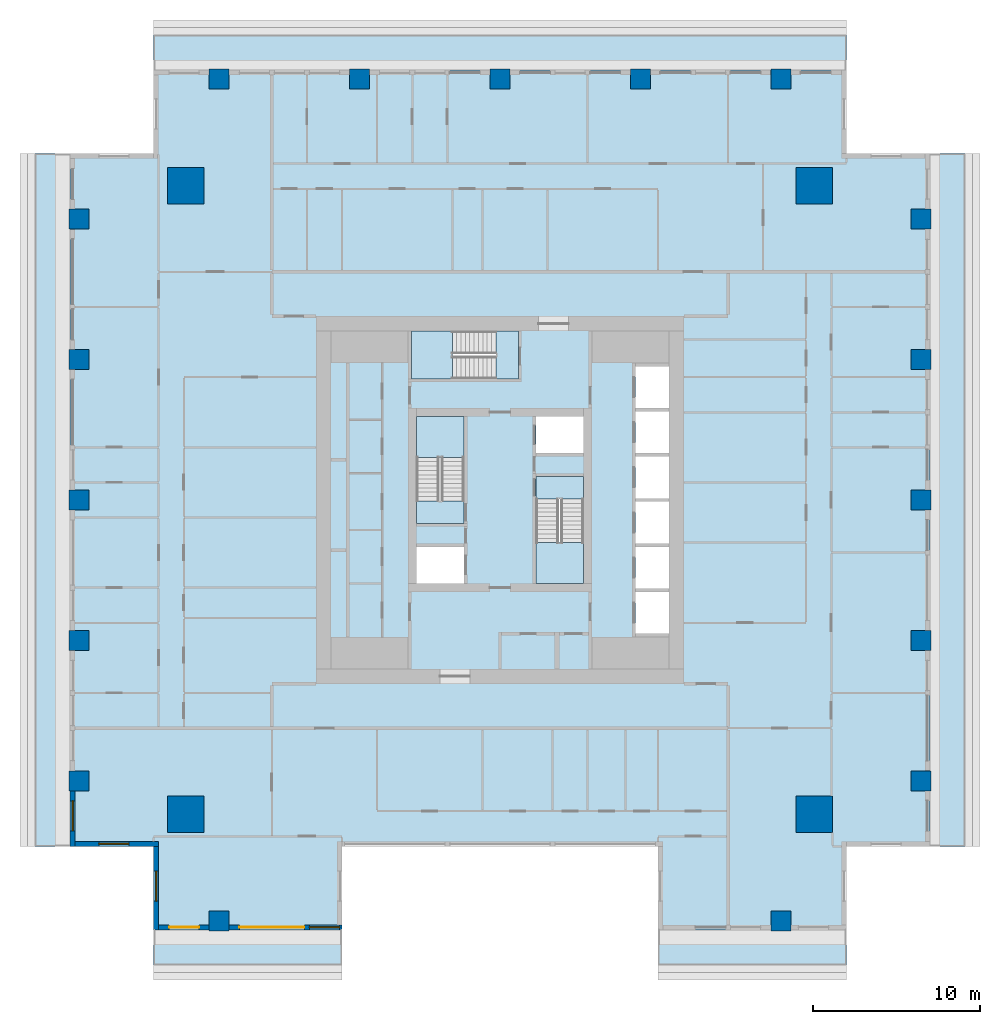
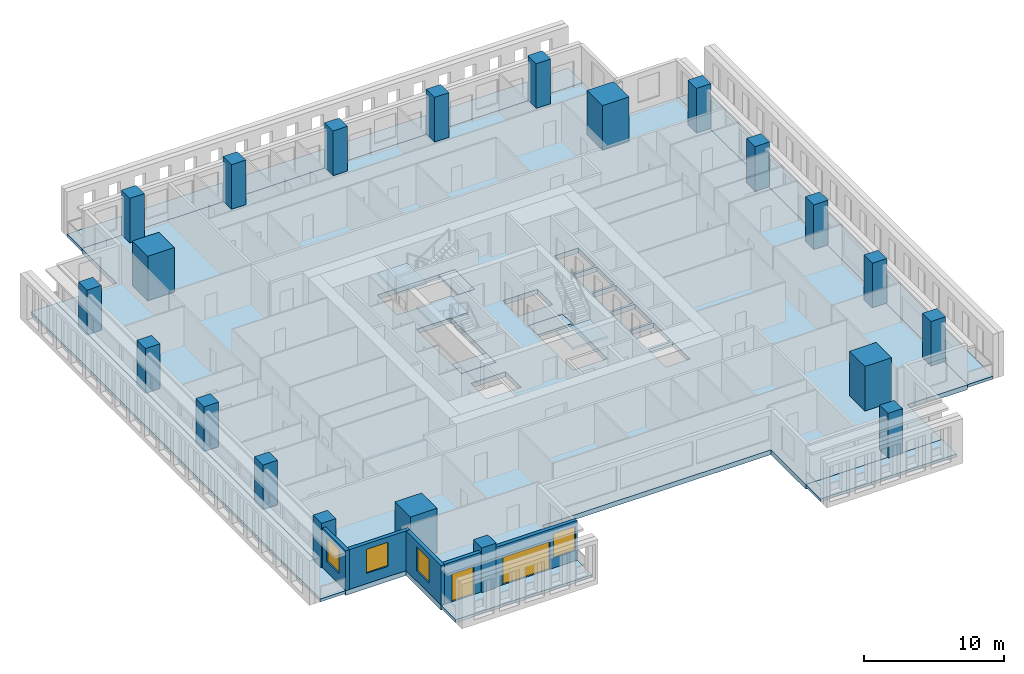
# One storey, part 1 of 14: 21 columns, 12 slabs, 5 walls, 4 windows, 2 doors, 6 openings, 3 elements without a shape of their own.
"""IFC4 building model written with IfcOpenShell, lengths in metres."""

from ifc_helpers import new_model, si_unit, direction, frame, frame_2d, origin, origin_2d, place, context, subcontext, project, spatial, polyline, rectangle, outline, extrude, material, layer, layer_set, material_profile, profile_set, type_object, element, fill, aggregate, save


model = new_model("IFC4")

# Units and contexts
model_context = context("Model", 3, precision=1e-05, world=origin(), true_north=direction((0.0, 1.0)))
body_context = subcontext(model_context, "Body", "Model", "MODEL_VIEW")
ifc_project = project(units=[si_unit("LENGTHUNIT", "METRE"), si_unit("AREAUNIT", "SQUARE_METRE"), si_unit("VOLUMEUNIT", "CUBIC_METRE"), si_unit("PLANEANGLEUNIT", "RADIAN"), si_unit("MASSUNIT", "GRAM", prefix="KILO")], contexts=[model_context])

# Site, building, storey
site_placement = place(None, origin())
site = spatial("IfcSite", under=ifc_project, at=site_placement, CompositionType="ELEMENT")
building_placement = place(site_placement, origin())
building = spatial("IfcBuilding", under=site, at=building_placement, Name="Khepri Terraces", CompositionType="ELEMENT")
storey_placement = place(building_placement, frame((0.0, 0.0, 267.89990234375)))
storey = spatial("IfcBuildingStorey", under=building, at=storey_placement, Name="L64", CompositionType="ELEMENT", Elevation=267.89990234375)

# Columns
ifc_material_1 = material(Name="Concrete C40/50", Category="concrete")
ifc_material_profile_1 = material_profile(ifc_material_1, rectangle(XDim=2.199951171875, YDim=2.199951171875, at=origin_2d()), Name="Concrete C40/50", Category="concrete")
ifc_profile_set_1 = profile_set([ifc_material_profile_1], Name="Concrete C40/50")
column_type_1 = type_object("IfcColumnType", Name="Mega column RC 2200x2200 C40/50", PredefinedType="COLUMN", material=ifc_profile_set_1)
for number, where, z_axis, x_axis, name in (
    (1, (18.800048828125, 18.800048828125, 0.0), (0.0, 0.0, 1.0), (1.0, 0.0, 0.0), "Mega column MEN L64"),
    (2, (18.800048828125, -18.800048828125, 0.0), (0.0, 0.0, 1.0), (1.0, 0.0, 0.0), "Mega column MES L64"),
    (3, (-18.800048828125, 18.800048828125, 0.0), (0.0, 0.0, 1.0), (1.0, 0.0, 0.0), "Mega column MWN L64"),
    (4, (-18.800048828125, -18.800048828125, 0.0), (0.0, 0.0, 1.0), (1.0, 0.0, 0.0), "Mega column MWS L64"),
):
    element("IfcColumn", number, at=place(storey_placement, frame(where, z_axis=z_axis, x_axis=x_axis)), inside=storey, type_object=column_type_1, Name=name, PredefinedType="COLUMN", context=body_context, shape_type="SweptSolid", body=[
        extrude(rectangle(XDim=2.199951171875, YDim=2.199951171875, at=origin_2d()), origin(), (0.0, 0.0, 1.0), 3.900146484375),
    ])
ifc_material_profile_2 = material_profile(ifc_material_1, rectangle(XDim=1.199951171875, YDim=1.199951171875, at=origin_2d()), Name="Concrete C40/50", Category="concrete")
ifc_profile_set_2 = profile_set([ifc_material_profile_2], Name="Concrete C40/50")
column_type_2 = type_object("IfcColumnType", Name="Tower column RC 1200x1200 C40/50", PredefinedType="COLUMN", material=ifc_profile_set_2)
for number, where, z_axis, x_axis, name in (
    (5, (25.199951171875, 0.0, 0.0), (0.0, 0.0, 1.0), (1.0, 0.0, 0.0), "Perimeter column PE+000b L64"),
    (6, (25.199951171875, 8.39990234375, 0.0), (0.0, 0.0, 1.0), (1.0, 0.0, 0.0), "Perimeter column PE+084b L64"),
    (7, (25.199951171875, 16.800048828125, 0.0), (0.0, 0.0, 1.0), (1.0, 0.0, 0.0), "Perimeter column PE+168a L64"),
    (8, (25.199951171875, -8.39990234375, 0.0), (0.0, 0.0, 1.0), (1.0, 0.0, 0.0), "Perimeter column PE-084b L64"),
    (9, (25.199951171875, -16.800048828125, 0.0), (0.0, 0.0, 1.0), (1.0, 0.0, 0.0), "Perimeter column PE-168a L64"),
    (10, (0.0, 25.199951171875, 0.0), (0.0, 0.0, 1.0), (1.0, 0.0, 0.0), "Perimeter column PN+000b L64"),
    (11, (-8.39990234375, 25.199951171875, 0.0), (0.0, 0.0, 1.0), (1.0, 0.0, 0.0), "Perimeter column PN+084b L64"),
    (12, (-16.800048828125, 25.199951171875, 0.0), (0.0, 0.0, 1.0), (1.0, 0.0, 0.0), "Perimeter column PN+168a L64"),
    (13, (8.39990234375, 25.199951171875, 0.0), (0.0, 0.0, 1.0), (1.0, 0.0, 0.0), "Perimeter column PN-084b L64"),
    (14, (16.800048828125, 25.199951171875, 0.0), (0.0, 0.0, 1.0), (1.0, 0.0, 0.0), "Perimeter column PN-168a L64"),
    (15, (16.800048828125, -25.199951171875, 0.0), (0.0, 0.0, 1.0), (1.0, 0.0, 0.0), "Perimeter column PS+168a L64"),
    (16, (-16.800048828125, -25.199951171875, 0.0), (0.0, 0.0, 1.0), (1.0, 0.0, 0.0), "Perimeter column PS-168a L64"),
    (17, (-25.199951171875, 0.0, 0.0), (0.0, 0.0, 1.0), (1.0, 0.0, 0.0), "Perimeter column PW+000b L64"),
    (18, (-25.199951171875, -8.39990234375, 0.0), (0.0, 0.0, 1.0), (1.0, 0.0, 0.0), "Perimeter column PW+084b L64"),
    (19, (-25.199951171875, -16.800048828125, 0.0), (0.0, 0.0, 1.0), (1.0, 0.0, 0.0), "Perimeter column PW+168a L64"),
    (20, (-25.199951171875, 8.39990234375, 0.0), (0.0, 0.0, 1.0), (1.0, 0.0, 0.0), "Perimeter column PW-084b L64"),
    (21, (-25.199951171875, 16.800048828125, 0.0), (0.0, 0.0, 1.0), (1.0, 0.0, 0.0), "Perimeter column PW-168a L64"),
):
    element("IfcColumn", number, at=place(storey_placement, frame(where, z_axis=z_axis, x_axis=x_axis)), inside=storey, type_object=column_type_2, Name=name, PredefinedType="COLUMN", context=body_context, shape_type="SweptSolid", body=[
        extrude(rectangle(XDim=1.199951171875, YDim=1.199951171875, at=origin_2d()), origin(), (0.0, 0.0, 1.0), 3.900146484375),
    ])

# Slabs
ifc_layer_1 = layer(ifc_material_1, 0.419921875, Name="Concrete C40/50", Category="concrete")
ifc_layer_set_1 = layer_set([ifc_layer_1], Name="Concrete C40/50")
slab_type_1 = type_object("IfcSlabType", Name="Flat plate 420", PredefinedType="FLOOR", material=ifc_layer_set_1)
slab_1_placement = place(storey_placement, frame((0.0, 0.0, -0.419921875)))
element("IfcSlab", 22, at=slab_1_placement, inside=storey, type_object=slab_type_1, Name="Floor slab F01 L64", PredefinedType="FLOOR", context=body_context, shape_type="SweptSolid", body=[
    extrude(outline(polyline([(-20.719970703125, 25.719970703125), (20.719970703125, 25.719970703125), (20.719970703125, 20.719970703125), (25.719970703125, 20.719970703125), (25.719970703125, -20.719970703125), (20.719970703125, -20.719970703125), (20.719970703125, -25.719970703125), (9.449951171875, -25.719970703125), (9.449951171875, -20.719970703125), (-9.449951171875, -20.719970703125), (-9.449951171875, -25.719970703125), (-20.719970703125, -25.719970703125), (-20.719970703125, -20.719970703125), (-25.719970703125, -20.719970703125), (-25.719970703125, 20.719970703125), (-20.719970703125, 20.719970703125), (-20.719970703125, 25.719970703125)]), holes=[polyline([(2.14990234375, 2.800048828125), (5.0, 2.800048828125), (5.0, 5.0), (2.14990234375, 5.0), (2.14990234375, 2.800048828125)]), polyline([(-5.0, -2.800048828125), (-5.0, -5.0), (-2.14990234375, -5.0), (-2.14990234375, -2.800048828125), (-5.0, -2.800048828125)]), polyline([(10.10009765625, -5.5), (8.10009765625, -5.5), (8.10009765625, -8.0), (10.10009765625, -8.0), (10.10009765625, -5.5)]), polyline([(10.10009765625, -5.300048828125), (10.10009765625, -2.800048828125), (8.10009765625, -2.800048828125), (8.10009765625, -5.300048828125), (10.10009765625, -5.300048828125)]), polyline([(8.10009765625, -2.60009765625), (10.10009765625, -2.60009765625), (10.10009765625, -0.10009765625), (8.10009765625, -0.10009765625), (8.10009765625, -2.60009765625)]), polyline([(8.10009765625, 2.60009765625), (8.10009765625, 0.10009765625), (10.10009765625, 0.10009765625), (10.10009765625, 2.60009765625), (8.10009765625, 2.60009765625)]), polyline([(10.10009765625, 5.300048828125), (8.10009765625, 5.300048828125), (8.10009765625, 2.800048828125), (10.10009765625, 2.800048828125), (10.10009765625, 5.300048828125)]), polyline([(10.10009765625, 5.5), (10.10009765625, 8.0), (8.10009765625, 8.0), (8.10009765625, 5.5), (10.10009765625, 5.5)]), polyline([(-5.0, -1.39990234375), (-2.14990234375, -1.39990234375), (-2.14990234375, 5.0), (-5.0, 5.0), (-5.0, -1.39990234375)]), polyline([(5.0, -5.0), (5.0, 1.39990234375), (2.14990234375, 1.39990234375), (2.14990234375, -5.0), (5.0, -5.0)]), polyline([(-5.300048828125, 10.10009765625), (-5.300048828125, 7.25), (1.10009765625, 7.25), (1.10009765625, 10.10009765625), (-5.300048828125, 10.10009765625)])]), origin(), (0.0, 0.0, 1.0), 0.419921875),
])
ifc_material_2 = material(Name="Precast concrete C50/60 warm stone", Category="masonry")
ifc_layer_2 = layer(ifc_material_2, 0.25, Name="Precast concrete C50/60 warm stone", Category="masonry")
ifc_layer_set_2 = layer_set([ifc_layer_2], Name="Precast concrete C50/60 warm stone")
slab_type_2 = type_object("IfcSlabType", Name="SLB-BALCONY-250", PredefinedType="FLOOR", material=ifc_layer_set_2)
slab_2_placement = place(storey_placement, frame((0.0, 0.0, -0.25)))
element("IfcSlab", 23, at=slab_2_placement, inside=storey, type_object=slab_type_2, Name="Balcony slab L64 S", PredefinedType="FLOOR", context=body_context, shape_type="SweptSolid", body=[
    extrude(outline(polyline([(-17.39990234375, -25.719970703125), (-20.719970703125, -25.719970703125), (-20.719970703125, -27.820068359375), (-9.449951171875, -27.820068359375), (-9.449951171875, -25.719970703125), (-16.199951171875, -25.719970703125), (-16.199951171875, -25.800048828125), (-17.39990234375, -25.800048828125), (-17.39990234375, -25.719970703125)])), origin(), (0.0, 0.0, 1.0), 0.25),
])
slab_3_placement = place(storey_placement, frame((0.0, 0.0, -0.25)))
element("IfcSlab", 24, at=slab_3_placement, inside=storey, type_object=slab_type_2, Name="Balcony slab L64 S", PredefinedType="FLOOR", context=body_context, shape_type="SweptSolid", body=[
    extrude(outline(polyline([(16.199951171875, -25.719970703125), (9.449951171875, -25.719970703125), (9.449951171875, -27.820068359375), (20.719970703125, -27.820068359375), (20.719970703125, -25.719970703125), (17.39990234375, -25.719970703125), (17.39990234375, -25.800048828125), (16.199951171875, -25.800048828125), (16.199951171875, -25.719970703125)])), origin(), (0.0, 0.0, 1.0), 0.25),
])
slab_4_placement = place(storey_placement, frame((0.0, 0.0, -0.25)))
element("IfcSlab", 25, at=slab_4_placement, inside=storey, type_object=slab_type_2, Name="Balcony slab L64 E", PredefinedType="FLOOR", context=body_context, shape_type="SweptSolid", body=[
    extrude(outline(polyline([(25.719970703125, -17.39990234375), (25.719970703125, -20.719970703125), (27.820068359375, -20.719970703125), (27.820068359375, 20.719970703125), (25.719970703125, 20.719970703125), (25.719970703125, 17.39990234375), (25.800048828125, 17.39990234375), (25.800048828125, 16.199951171875), (25.719970703125, 16.199951171875), (25.719970703125, 9.0), (25.800048828125, 9.0), (25.800048828125, 7.800048828125), (25.719970703125, 7.800048828125), (25.719970703125, 0.60009765625), (25.800048828125, 0.60009765625), (25.800048828125, -0.60009765625), (25.719970703125, -0.60009765625), (25.719970703125, -7.800048828125), (25.800048828125, -7.800048828125), (25.800048828125, -9.0), (25.719970703125, -9.0), (25.719970703125, -16.199951171875), (25.800048828125, -16.199951171875), (25.800048828125, -17.39990234375), (25.719970703125, -17.39990234375)])), origin(), (0.0, 0.0, 1.0), 0.25),
])
slab_5_placement = place(storey_placement, frame((0.0, 0.0, -0.25)))
element("IfcSlab", 26, at=slab_5_placement, inside=storey, type_object=slab_type_2, Name="Balcony slab L64 N", PredefinedType="FLOOR", context=body_context, shape_type="SweptSolid", body=[
    extrude(outline(polyline([(17.39990234375, 25.719970703125), (20.719970703125, 25.719970703125), (20.719970703125, 27.820068359375), (-20.719970703125, 27.820068359375), (-20.719970703125, 25.719970703125), (-17.39990234375, 25.719970703125), (-17.39990234375, 25.800048828125), (-16.199951171875, 25.800048828125), (-16.199951171875, 25.719970703125), (-9.0, 25.719970703125), (-9.0, 25.800048828125), (-7.800048828125, 25.800048828125), (-7.800048828125, 25.719970703125), (-0.60009765625, 25.719970703125), (-0.60009765625, 25.800048828125), (0.60009765625, 25.800048828125), (0.60009765625, 25.719970703125), (7.800048828125, 25.719970703125), (7.800048828125, 25.800048828125), (9.0, 25.800048828125), (9.0, 25.719970703125), (16.199951171875, 25.719970703125), (16.199951171875, 25.800048828125), (17.39990234375, 25.800048828125), (17.39990234375, 25.719970703125)])), origin(), (0.0, 0.0, 1.0), 0.25),
])
slab_6_placement = place(storey_placement, frame((0.0, 0.0, -0.25)))
element("IfcSlab", 27, at=slab_6_placement, inside=storey, type_object=slab_type_2, Name="Balcony slab L64 W", PredefinedType="FLOOR", context=body_context, shape_type="SweptSolid", body=[
    extrude(outline(polyline([(-25.719970703125, 17.39990234375), (-25.719970703125, 20.719970703125), (-27.820068359375, 20.719970703125), (-27.820068359375, -20.719970703125), (-25.719970703125, -20.719970703125), (-25.719970703125, -17.39990234375), (-25.800048828125, -17.39990234375), (-25.800048828125, -16.199951171875), (-25.719970703125, -16.199951171875), (-25.719970703125, -9.0), (-25.800048828125, -9.0), (-25.800048828125, -7.800048828125), (-25.719970703125, -7.800048828125), (-25.719970703125, -0.60009765625), (-25.800048828125, -0.60009765625), (-25.800048828125, 0.60009765625), (-25.719970703125, 0.60009765625), (-25.719970703125, 7.800048828125), (-25.800048828125, 7.800048828125), (-25.800048828125, 9.0), (-25.719970703125, 9.0), (-25.719970703125, 16.199951171875), (-25.800048828125, 16.199951171875), (-25.800048828125, 17.39990234375), (-25.719970703125, 17.39990234375)])), origin(), (0.0, 0.0, 1.0), 0.25),
])

# Stair, slabs
stair_type = type_object("IfcStairType", Name="STAIR-RC-22R", PredefinedType="HALF_TURN_STAIR", material=ifc_material_1)
stair_1_placement = place(storey_placement, origin())
stair_1 = element("IfcStair", 28, at=stair_1_placement, inside=storey, type_object=stair_type, Name="L64 Exit Stair ST-1", PredefinedType="HALF_TURN_STAIR")
ifc_layer_3 = layer(ifc_material_1, 0.199951171875, Name="Concrete C40/50", Category="concrete")
ifc_layer_set_3 = layer_set([ifc_layer_3], Name="Concrete C40/50")
slab_type_3 = type_object("IfcSlabType", Name="SLB-CORE-LANDING", PredefinedType="LANDING", material=ifc_layer_set_3)
slab_7_placement = place(storey_placement, frame((0.0, 0.0, -0.199951171875)))
slab_7 = element("IfcSlab", 29, at=slab_7_placement, type_object=slab_type_3, Name="ST-1 landing 1", PredefinedType="LANDING", context=body_context, shape_type="SweptSolid", body=[
    extrude(outline(polyline([(-2.14990234375, -1.39990234375), (-2.14990234375, -0.050048828125), (-5.0, -0.050048828125), (-5.0, -1.39990234375), (-2.14990234375, -1.39990234375)])), origin(), (0.0, 0.0, 1.0), 0.199951171875),
])
slab_8_placement = place(storey_placement, frame((0.0, 0.0, 1.75)))
slab_8 = element("IfcSlab", 30, at=slab_8_placement, type_object=slab_type_3, Name="ST-1 landing 2", PredefinedType="LANDING", context=body_context, shape_type="SweptSolid", body=[
    extrude(outline(polyline([(-2.14990234375, 2.550048828125), (-2.14990234375, 5.0), (-5.0, 5.0), (-5.0, 2.550048828125), (-2.14990234375, 2.550048828125)])), origin(), (0.0, 0.0, 1.0), 0.2001953125),
])
aggregate(stair_1, [slab_7, slab_8])

stair_2_placement = place(storey_placement, origin())
stair_2 = element("IfcStair", 31, at=stair_2_placement, inside=storey, type_object=stair_type, Name="L64 Exit Stair ST-2", PredefinedType="HALF_TURN_STAIR")
slab_9_placement = place(storey_placement, frame((0.0, 0.0, -0.199951171875)))
slab_9 = element("IfcSlab", 32, at=slab_9_placement, type_object=slab_type_3, Name="ST-2 landing 1", PredefinedType="LANDING", context=body_context, shape_type="SweptSolid", body=[
    extrude(outline(polyline([(2.14990234375, 1.39990234375), (2.14990234375, 0.050048828125), (5.0, 0.050048828125), (5.0, 1.39990234375), (2.14990234375, 1.39990234375)])), origin(), (0.0, 0.0, 1.0), 0.199951171875),
])
slab_10_placement = place(storey_placement, frame((0.0, 0.0, 1.75)))
slab_10 = element("IfcSlab", 33, at=slab_10_placement, type_object=slab_type_3, Name="ST-2 landing 2", PredefinedType="LANDING", context=body_context, shape_type="SweptSolid", body=[
    extrude(outline(polyline([(2.14990234375, -2.550048828125), (2.14990234375, -5.0), (5.0, -5.0), (5.0, -2.550048828125), (2.14990234375, -2.550048828125)])), origin(), (0.0, 0.0, 1.0), 0.2001953125),
])
aggregate(stair_2, [slab_9, slab_10])

stair_3_placement = place(storey_placement, origin())
stair_3 = element("IfcStair", 34, at=stair_3_placement, inside=storey, type_object=stair_type, Name="L64 Exit Stair ST-3", PredefinedType="HALF_TURN_STAIR")
slab_11_placement = place(storey_placement, frame((0.0, 0.0, -0.199951171875)))
slab_11 = element("IfcSlab", 35, at=slab_11_placement, type_object=slab_type_3, Name="ST-3 landing 1", PredefinedType="LANDING", context=body_context, shape_type="SweptSolid", body=[
    extrude(outline(polyline([(1.10009765625, 10.10009765625), (-0.25, 10.10009765625), (-0.25, 7.25), (1.10009765625, 7.25), (1.10009765625, 10.10009765625)])), origin(), (0.0, 0.0, 1.0), 0.199951171875),
])
slab_12_placement = place(storey_placement, frame((0.0, 0.0, 1.75)))
slab_12 = element("IfcSlab", 36, at=slab_12_placement, type_object=slab_type_3, Name="ST-3 landing 2", PredefinedType="LANDING", context=body_context, shape_type="SweptSolid", body=[
    extrude(outline(polyline([(-2.85009765625, 10.10009765625), (-5.300048828125, 10.10009765625), (-5.300048828125, 7.25), (-2.85009765625, 7.25), (-2.85009765625, 10.10009765625)])), origin(), (0.0, 0.0, 1.0), 0.2001953125),
])
aggregate(stair_3, [slab_11, slab_12])

# Wall, opening, window
ifc_layer_4 = layer(ifc_material_2, 0.300048828125, Name="Precast concrete C50/60 warm stone", Category="masonry")
ifc_layer_set_4 = layer_set([ifc_layer_4], Name="Precast concrete C50/60 warm stone")
wall_type = type_object("IfcWallType", Name="WL-EXT-PRECAST-300", PredefinedType="STANDARD", material=ifc_layer_set_4)
wall_1_placement = place(storey_placement, frame((-25.570068359375, -17.39990234375, 0.0), z_axis=(0.0, 0.0, 1.0), x_axis=(0.0, -1.0, 0.0)))
wall_1 = element("IfcWall", 37, at=wall_1_placement, inside=storey, type_object=wall_type, Name="External wall L64 W", PredefinedType="STANDARD", context=body_context, shape_type="SweptSolid", body=[
    extrude(rectangle(XDim=3.320068359375, YDim=0.300048828125, at=frame_2d((1.66015625, 0.0))), origin(), (0.0, 0.0, 1.0), 3.47998046875),
])
opening_1_placement = place(wall_1_placement, frame((0.60009765625, 0.0, 0.89990234375)))
opening_1 = element("IfcOpeningElement", 38, at=opening_1_placement, cuts=wall_1, Name="Opening W1", PredefinedType="OPENING", context=body_context, shape_type="SweptSolid", body=[
    extrude(rectangle(XDim=1.800048828125, YDim=2.10009765625, at=frame_2d((0.89990234375, 1.050048828125))), frame((0.0, 0.16015625, 0.0), z_axis=(0.0, -1.0, 0.0), x_axis=(1.0, 0.0, 0.0)), (0.0, 0.0, 1.0), 0.320068359375),
])
ifc_material_3 = material(Name="Clear glass", Category="glass")
window_type = type_object("IfcWindowType", Name="WIN-RES-1800x2100", PartitioningType="SINGLE_PANEL", PredefinedType="WINDOW", material=ifc_material_3)
window_1_placement = place(opening_1_placement, origin())
window_1 = element("IfcWindow", 39, at=window_1_placement, inside=storey, type_object=window_type, Name="Window L64 W", OverallHeight=2.10009765625, OverallWidth=1.800048828125, PartitioningType="SINGLE_PANEL", PredefinedType="WINDOW", context=body_context, shape_type="SweptSolid", body=[
    extrude(rectangle(XDim=1.800048828125, YDim=2.10009765625, at=frame_2d((0.89990234375, 1.050048828125))), frame((0.0, 0.030029296875, 0.0), z_axis=(0.0, -1.0, 0.0), x_axis=(1.0, 0.0, 0.0)), (0.0, 0.0, 1.0), 0.06005859375),
])
fill(opening_1, window_1)

wall_2_placement = place(storey_placement, frame((-25.419921875, -20.570068359375, 0.0), z_axis=(0.0, 0.0, 1.0), x_axis=(1.0, 0.0, 0.0)))
wall_2 = element("IfcWall", 40, at=wall_2_placement, inside=storey, type_object=wall_type, Name="External wall L64 S", PredefinedType="STANDARD", context=body_context, shape_type="SweptSolid", body=[
    extrude(rectangle(XDim=5.0, YDim=0.300048828125, at=frame_2d((2.5, 0.0))), origin(), (0.0, 0.0, 1.0), 3.47998046875),
])
opening_2_placement = place(wall_2_placement, frame((1.419921875, 0.0, 0.89990234375)))
opening_2 = element("IfcOpeningElement", 41, at=opening_2_placement, cuts=wall_2, Name="Opening W1", PredefinedType="OPENING", context=body_context, shape_type="SweptSolid", body=[
    extrude(rectangle(XDim=1.800048828125, YDim=2.10009765625, at=frame_2d((0.89990234375, 1.050048828125))), frame((0.0, 0.16015625, 0.0), z_axis=(0.0, -1.0, 0.0), x_axis=(1.0, 0.0, 0.0)), (0.0, 0.0, 1.0), 0.320068359375),
])
window_2_placement = place(opening_2_placement, origin())
window_2 = element("IfcWindow", 42, at=window_2_placement, inside=storey, type_object=window_type, Name="Window L64 S", OverallHeight=2.10009765625, OverallWidth=1.800048828125, PartitioningType="SINGLE_PANEL", PredefinedType="WINDOW", context=body_context, shape_type="SweptSolid", body=[
    extrude(rectangle(XDim=1.800048828125, YDim=2.10009765625, at=frame_2d((0.89990234375, 1.050048828125))), frame((0.0, 0.030029296875, 0.0), z_axis=(0.0, -1.0, 0.0), x_axis=(1.0, 0.0, 0.0)), (0.0, 0.0, 1.0), 0.06005859375),
])
fill(opening_2, window_2)

wall_3_placement = place(storey_placement, frame((-20.570068359375, -20.719970703125, 0.0), z_axis=(0.0, 0.0, 1.0), x_axis=(0.0, -1.0, 0.0)))
wall_3 = element("IfcWall", 43, at=wall_3_placement, inside=storey, type_object=wall_type, Name="External wall L64 W", PredefinedType="STANDARD", context=body_context, shape_type="SweptSolid", body=[
    extrude(rectangle(XDim=5.0, YDim=0.300048828125, at=frame_2d((2.5, 0.0))), origin(), (0.0, 0.0, 1.0), 3.47998046875),
])
opening_3_placement = place(wall_3_placement, frame((1.47998046875, 0.0, 0.89990234375)))
opening_3 = element("IfcOpeningElement", 44, at=opening_3_placement, cuts=wall_3, Name="Opening W1", PredefinedType="OPENING", context=body_context, shape_type="SweptSolid", body=[
    extrude(rectangle(XDim=1.800048828125, YDim=2.10009765625, at=frame_2d((0.89990234375, 1.050048828125))), frame((0.0, 0.16015625, 0.0), z_axis=(0.0, -1.0, 0.0), x_axis=(1.0, 0.0, 0.0)), (0.0, 0.0, 1.0), 0.320068359375),
])
window_3_placement = place(opening_3_placement, origin())
window_3 = element("IfcWindow", 45, at=window_3_placement, inside=storey, type_object=window_type, Name="Window L64 W", OverallHeight=2.10009765625, OverallWidth=1.800048828125, PartitioningType="SINGLE_PANEL", PredefinedType="WINDOW", context=body_context, shape_type="SweptSolid", body=[
    extrude(rectangle(XDim=1.800048828125, YDim=2.10009765625, at=frame_2d((0.89990234375, 1.050048828125))), frame((0.0, 0.030029296875, 0.0), z_axis=(0.0, -1.0, 0.0), x_axis=(1.0, 0.0, 0.0)), (0.0, 0.0, 1.0), 0.06005859375),
])
fill(opening_3, window_3)

# Wall, opening, door
wall_4_placement = place(storey_placement, frame((-20.419921875, -25.570068359375, 0.0), z_axis=(0.0, 0.0, 1.0), x_axis=(1.0, 0.0, 0.0)))
wall_4 = element("IfcWall", 46, at=wall_4_placement, inside=storey, type_object=wall_type, Name="External wall L64 S", PredefinedType="STANDARD", context=body_context, shape_type="SweptSolid", body=[
    extrude(rectangle(XDim=3.02001953125, YDim=0.300048828125, at=frame_2d((1.510009765625, 0.0))), origin(), (0.0, 0.0, 1.0), 3.47998046875),
])
opening_4_placement = place(wall_4_placement, frame((0.6201171875, 0.0, 0.0)))
opening_4 = element("IfcOpeningElement", 47, at=opening_4_placement, cuts=wall_4, Name="Opening ED-L64-15", PredefinedType="OPENING", context=body_context, shape_type="SweptSolid", body=[
    extrude(rectangle(XDim=1.800048828125, YDim=2.39990234375, at=frame_2d((0.89990234375, 1.199951171875))), frame((0.0, 0.16015625, 0.0), z_axis=(0.0, -1.0, 0.0), x_axis=(1.0, 0.0, 0.0)), (0.0, 0.0, 1.0), 0.320068359375),
])
ifc_material_4 = material(Name="Anodised aluminium bronze glazed door", Category="aluminium")
door_type_1 = type_object("IfcDoorType", Name="DR-BAL-SLIDE-1800x2400", OperationType="NOTDEFINED", PredefinedType="DOOR", material=ifc_material_4)
door_1_placement = place(opening_4_placement, origin())
door_1 = element("IfcDoor", 48, at=door_1_placement, inside=storey, type_object=door_type_1, Name="Balcony door L64 S", OperationType="SLIDING_TO_RIGHT", OverallHeight=2.39990234375, OverallWidth=1.800048828125, PredefinedType="DOOR", context=body_context, shape_type="SweptSolid", body=[
    extrude(rectangle(XDim=1.800048828125, YDim=2.39990234375, at=frame_2d((0.89990234375, 1.199951171875))), frame((0.0, 0.02490234375, 0.0), z_axis=(0.0, -1.0, 0.0), x_axis=(1.0, 0.0, 0.0)), (0.0, 0.0, 1.0), 0.050048828125),
])
fill(opening_4, door_1)

# Wall, openings, door, window
wall_5_placement = place(storey_placement, frame((-16.199951171875, -25.570068359375, 0.0), z_axis=(0.0, 0.0, 1.0), x_axis=(1.0, 0.0, 0.0)))
wall_5 = element("IfcWall", 49, at=wall_5_placement, inside=storey, type_object=wall_type, Name="External wall L64 S", PredefinedType="STANDARD", context=body_context, shape_type="SweptSolid", body=[
    extrude(rectangle(XDim=6.75, YDim=0.300048828125, at=frame_2d((3.375, 0.0))), origin(), (0.0, 0.0, 1.0), 3.47998046875),
])
opening_5_placement = place(wall_5_placement, frame((0.60009765625, 0.0, 0.0)))
opening_5 = element("IfcOpeningElement", 50, at=opening_5_placement, cuts=wall_5, Name="Opening ED-L64-16", PredefinedType="OPENING", context=body_context, shape_type="SweptSolid", body=[
    extrude(rectangle(XDim=3.89990234375, YDim=2.39990234375, at=frame_2d((1.949951171875, 1.199951171875))), frame((0.0, 0.16015625, 0.0), z_axis=(0.0, -1.0, 0.0), x_axis=(1.0, 0.0, 0.0)), (0.0, 0.0, 1.0), 0.320068359375),
])
opening_6_placement = place(wall_5_placement, frame((4.800048828125, 0.0, 0.89990234375)))
opening_6 = element("IfcOpeningElement", 51, at=opening_6_placement, cuts=wall_5, Name="Opening W1", PredefinedType="OPENING", context=body_context, shape_type="SweptSolid", body=[
    extrude(rectangle(XDim=1.800048828125, YDim=2.10009765625, at=frame_2d((0.89990234375, 1.050048828125))), frame((0.0, 0.16015625, 0.0), z_axis=(0.0, -1.0, 0.0), x_axis=(1.0, 0.0, 0.0)), (0.0, 0.0, 1.0), 0.320068359375),
])
door_type_2 = type_object("IfcDoorType", Name="DR-BAL-SLIDE-3900x2400", OperationType="NOTDEFINED", PredefinedType="DOOR", material=ifc_material_4)
door_2_placement = place(opening_5_placement, origin())
door_2 = element("IfcDoor", 52, at=door_2_placement, inside=storey, type_object=door_type_2, Name="Balcony door L64 S", OperationType="SLIDING_TO_LEFT", OverallHeight=2.39990234375, OverallWidth=3.89990234375, PredefinedType="DOOR", context=body_context, shape_type="SweptSolid", body=[
    extrude(rectangle(XDim=3.89990234375, YDim=2.39990234375, at=frame_2d((1.949951171875, 1.199951171875))), frame((0.0, 0.02490234375, 0.0), z_axis=(0.0, -1.0, 0.0), x_axis=(1.0, 0.0, 0.0)), (0.0, 0.0, 1.0), 0.050048828125),
])
fill(opening_5, door_2)
window_4_placement = place(opening_6_placement, origin())
window_4 = element("IfcWindow", 53, at=window_4_placement, inside=storey, type_object=window_type, Name="Window L64 S", OverallHeight=2.10009765625, OverallWidth=1.800048828125, PartitioningType="SINGLE_PANEL", PredefinedType="WINDOW", context=body_context, shape_type="SweptSolid", body=[
    extrude(rectangle(XDim=1.800048828125, YDim=2.10009765625, at=frame_2d((0.89990234375, 1.050048828125))), frame((0.0, 0.030029296875, 0.0), z_axis=(0.0, -1.0, 0.0), x_axis=(1.0, 0.0, 0.0)), (0.0, 0.0, 1.0), 0.06005859375),
])
fill(opening_6, window_4)

save(model, "model.ifc")
